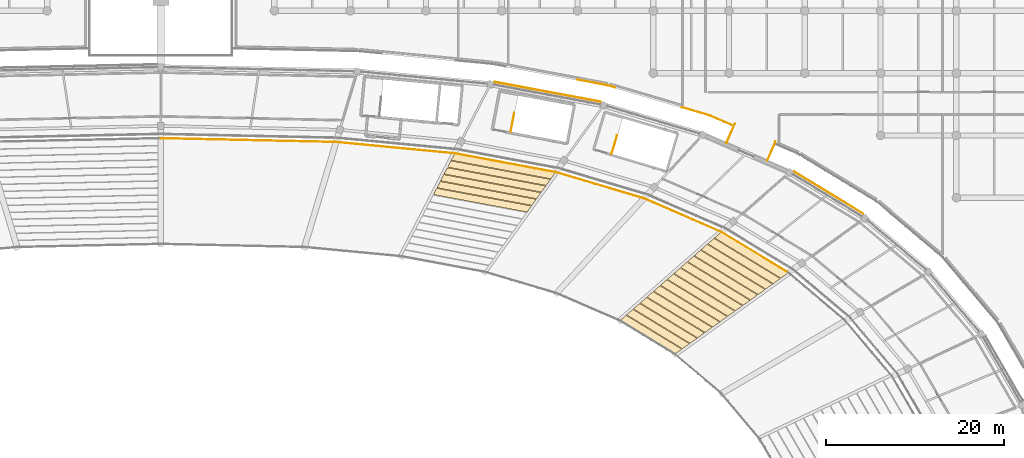
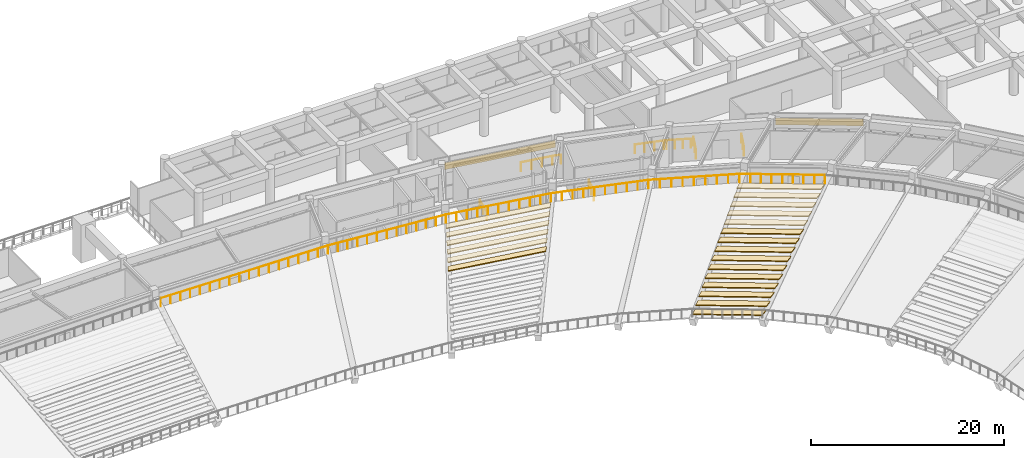
# One storey, part 136 of 137: 23 coverings, 7 railings.
"""IFC4 building model written with IfcOpenShell, lengths in metres."""

from ifc_helpers import new_model, si_unit, direction, frame, origin, origin_2d, place, context, subcontext, project, spatial, polyline, rectangle, circle, outline, extrude, material, layer, layer_set, type_object, element, save


model = new_model("IFC4")

# Units and contexts
model_context = context("Model", 3, precision=1e-05, world=origin(), true_north=direction((0.0, 1.0)))
body_context = subcontext(model_context, "Body", "Model", "MODEL_VIEW")
ifc_project = project(units=[si_unit("LENGTHUNIT", "METRE"), si_unit("AREAUNIT", "SQUARE_METRE"), si_unit("VOLUMEUNIT", "CUBIC_METRE"), si_unit("PLANEANGLEUNIT", "RADIAN"), si_unit("MASSUNIT", "GRAM", prefix="KILO")], contexts=[model_context])

# Site, building, storey
site_placement = place(None, origin())
site = spatial("IfcSite", under=ifc_project, at=site_placement, CompositionType="ELEMENT")
building_placement = place(site_placement, origin())
building = spatial("IfcBuilding", under=site, at=building_placement, Name="Mphavela Belvedere Stadium", CompositionType="ELEMENT")
storey_placement = place(building_placement, frame((0.0, 0.0, 19.199951171875)))
storey = spatial("IfcBuildingStorey", under=building, at=storey_placement, Name="L04", CompositionType="ELEMENT", Elevation=19.199951171875)

# Coverings
ifc_material_1 = material(Name="Carved classical limestone entablature frieze cladding", Category="masonry")
ifc_layer_1 = layer(ifc_material_1, 0.06005859375)
ifc_layer_set_1 = layer_set([ifc_layer_1], Name="Carved classical limestone entablature frieze cladding")
covering_type_1 = type_object("IfcCoveringType", Name="COV-FRIEZE-CLAD", PredefinedType="CLADDING", material=ifc_layer_set_1)
covering_1_placement = place(storey_placement, frame((190.09228515625, 146.56103515625, 3.594970703125), z_axis=(0.0, 0.0, 1.0), x_axis=(-0.854368143929, 0.519668235165, 0.0)))
element("IfcCovering", 1, at=covering_1_placement, inside=storey, type_object=covering_type_1, Name="Classical entablature frieze cladding L04-07", PredefinedType="CLADDING", context=body_context, shape_type="SweptSolid", body=[
    extrude(rectangle(XDim=9.105712890625, YDim=0.06005859375, at=origin_2d()), origin(), (0.0, 0.0, 1.0), 0.85009765625),
])
covering_2_placement = place(storey_placement, frame((158.49560546875, 157.896728515625, 3.594970703125), z_axis=(0.0, 0.0, 1.0), x_axis=(-0.983095502692, 0.183093507769, 0.0)))
element("IfcCovering", 2, at=covering_2_placement, inside=storey, type_object=covering_type_1, Name="Classical entablature frieze cladding L04-10", PredefinedType="CLADDING", context=body_context, shape_type="SweptSolid", body=[
    extrude(rectangle(XDim=12.1513671875, YDim=0.06005859375, at=origin_2d()), origin(), (0.0, 0.0, 1.0), 0.85009765625),
])
ifc_material_2 = material(Name="Precast seating row terrazzo finish", Category="concrete")
ifc_layer_2 = layer(ifc_material_2, 0.1201171875)
ifc_layer_set_2 = layer_set([ifc_layer_2], Name="Precast seating row terrazzo finish")
covering_type_2 = type_object("IfcCoveringType", Name="COV-SEAT-ROW-U", PredefinedType="FLOORING", material=ifc_layer_set_2)
covering_3_placement = place(storey_placement, frame((0.0, 0.0, -3.4033203125)))
element("IfcCovering", 3, at=covering_3_placement, inside=storey, type_object=covering_type_2, Name="Upper stand seating row bench B07-R01", PredefinedType="FLOORING", context=body_context, shape_type="SweptSolid", body=[
    extrude(outline(polyline([(172.798583984375, 128.412353515625), (166.62158203125, 132.170166015625), (167.321044921875, 132.7822265625), (173.581787109375, 128.973388671875), (172.798583984375, 128.412353515625)])), origin(), (0.0, 0.0, 1.0), 0.1201171875),
])
covering_4_placement = place(storey_placement, frame((0.0, 0.0, -2.936767578125)))
element("IfcCovering", 4, at=covering_4_placement, inside=storey, type_object=covering_type_2, Name="Upper stand seating row bench B07-R02", PredefinedType="FLOORING", context=body_context, shape_type="SweptSolid", body=[
    extrude(outline(polyline([(173.64990234375, 129.022216796875), (167.3818359375, 132.83544921875), (168.081298828125, 133.447509765625), (174.43310546875, 129.58349609375), (173.64990234375, 129.022216796875)])), origin(), (0.0, 0.0, 1.0), 0.1201171875),
])
covering_5_placement = place(storey_placement, frame((0.0, 0.0, -2.469970703125)))
element("IfcCovering", 5, at=covering_5_placement, inside=storey, type_object=covering_type_2, Name="Upper stand seating row bench B07-R03", PredefinedType="FLOORING", context=body_context, shape_type="SweptSolid", body=[
    extrude(outline(polyline([(174.501220703125, 129.632080078125), (168.14208984375, 133.500732421875), (168.841796875, 134.11279296875), (175.2841796875, 130.193359375), (174.501220703125, 129.632080078125)])), origin(), (0.0, 0.0, 1.0), 0.1201171875),
])
covering_6_placement = place(storey_placement, frame((0.0, 0.0, -2.003173828125)))
element("IfcCovering", 6, at=covering_6_placement, inside=storey, type_object=covering_type_2, Name="Upper stand seating row bench B07-R04", PredefinedType="FLOORING", context=body_context, shape_type="SweptSolid", body=[
    extrude(outline(polyline([(175.352294921875, 130.2421875), (168.902587890625, 134.166015625), (169.60205078125, 134.778076171875), (176.135498046875, 130.80322265625), (175.352294921875, 130.2421875)])), origin(), (0.0, 0.0, 1.0), 0.119873046875),
])
covering_7_placement = place(storey_placement, frame((0.0, 0.0, -1.53662109375)))
element("IfcCovering", 7, at=covering_7_placement, inside=storey, type_object=covering_type_2, Name="Upper stand seating row bench B07-R05", PredefinedType="FLOORING", context=body_context, shape_type="SweptSolid", body=[
    extrude(outline(polyline([(176.20361328125, 130.85205078125), (169.662841796875, 134.831298828125), (170.3623046875, 135.443359375), (176.98681640625, 131.413330078125), (176.20361328125, 130.85205078125)])), origin(), (0.0, 0.0, 1.0), 0.119873046875),
])
covering_8_placement = place(storey_placement, frame((0.0, 0.0, -1.070068359375)))
element("IfcCovering", 8, at=covering_8_placement, inside=storey, type_object=covering_type_2, Name="Upper stand seating row bench B07-R06", PredefinedType="FLOORING", context=body_context, shape_type="SweptSolid", body=[
    extrude(outline(polyline([(177.054931640625, 131.462158203125), (170.423095703125, 135.49658203125), (171.122802734375, 136.108642578125), (177.838134765625, 132.023193359375), (177.054931640625, 131.462158203125)])), origin(), (0.0, 0.0, 1.0), 0.1201171875),
])
covering_9_placement = place(storey_placement, frame((0.0, 0.0, -0.603271484375)))
element("IfcCovering", 9, at=covering_9_placement, inside=storey, type_object=covering_type_2, Name="Upper stand seating row bench B07-R07", PredefinedType="FLOORING", context=body_context, shape_type="SweptSolid", body=[
    extrude(outline(polyline([(177.90625, 132.072021484375), (171.18359375, 136.161865234375), (171.883056640625, 136.77392578125), (178.689453125, 132.63330078125), (177.90625, 132.072021484375)])), origin(), (0.0, 0.0, 1.0), 0.1201171875),
])
covering_10_placement = place(storey_placement, frame((0.0, 0.0, -0.13671875)))
element("IfcCovering", 10, at=covering_10_placement, inside=storey, type_object=covering_type_2, Name="Upper stand seating row bench B07-R08", PredefinedType="FLOORING", context=body_context, shape_type="SweptSolid", body=[
    extrude(outline(polyline([(178.757568359375, 132.681884765625), (171.94384765625, 136.8271484375), (172.643310546875, 137.439208984375), (179.540771484375, 133.2431640625), (178.757568359375, 132.681884765625)])), origin(), (0.0, 0.0, 1.0), 0.1201171875),
])
covering_11_placement = place(storey_placement, frame((0.0, 0.0, 0.330078125)))
element("IfcCovering", 11, at=covering_11_placement, inside=storey, type_object=covering_type_2, Name="Upper stand seating row bench B07-R09", PredefinedType="FLOORING", context=body_context, shape_type="SweptSolid", body=[
    extrude(outline(polyline([(179.60888671875, 133.2919921875), (172.7041015625, 137.492431640625), (173.403564453125, 138.1044921875), (180.39208984375, 133.85302734375), (179.60888671875, 133.2919921875)])), origin(), (0.0, 0.0, 1.0), 0.119873046875),
])
covering_12_placement = place(storey_placement, frame((0.0, 0.0, 0.796630859375)))
element("IfcCovering", 12, at=covering_12_placement, inside=storey, type_object=covering_type_2, Name="Upper stand seating row bench B07-R10", PredefinedType="FLOORING", context=body_context, shape_type="SweptSolid", body=[
    extrude(outline(polyline([(180.460205078125, 133.90185546875), (173.46435546875, 138.15771484375), (174.163818359375, 138.77001953125), (181.243408203125, 134.462890625), (180.460205078125, 133.90185546875)])), origin(), (0.0, 0.0, 1.0), 0.1201171875),
])
covering_13_placement = place(storey_placement, frame((0.0, 0.0, 1.263427734375)))
element("IfcCovering", 13, at=covering_13_placement, inside=storey, type_object=covering_type_2, Name="Upper stand seating row bench B07-R11", PredefinedType="FLOORING", context=body_context, shape_type="SweptSolid", body=[
    extrude(outline(polyline([(181.311279296875, 134.51171875), (174.224853515625, 138.822998046875), (174.92431640625, 139.435302734375), (182.094482421875, 135.072998046875), (181.311279296875, 134.51171875)])), origin(), (0.0, 0.0, 1.0), 0.119873046875),
])
covering_14_placement = place(storey_placement, frame((0.0, 0.0, 1.72998046875)))
element("IfcCovering", 14, at=covering_14_placement, inside=storey, type_object=covering_type_2, Name="Upper stand seating row bench B07-R12", PredefinedType="FLOORING", context=body_context, shape_type="SweptSolid", body=[
    extrude(outline(polyline([(182.16259765625, 135.121826171875), (174.985107421875, 139.48828125), (175.6845703125, 140.1005859375), (182.94580078125, 135.682861328125), (182.16259765625, 135.121826171875)])), origin(), (0.0, 0.0, 1.0), 0.1201171875),
])
covering_15_placement = place(storey_placement, frame((0.0, 0.0, 2.19677734375)))
element("IfcCovering", 15, at=covering_15_placement, inside=storey, type_object=covering_type_2, Name="Upper stand seating row bench B07-R13", PredefinedType="FLOORING", context=body_context, shape_type="SweptSolid", body=[
    extrude(outline(polyline([(183.013916015625, 135.731689453125), (175.745361328125, 140.15380859375), (176.44482421875, 140.765869140625), (183.797119140625, 136.29296875), (183.013916015625, 135.731689453125)])), origin(), (0.0, 0.0, 1.0), 0.119873046875),
])
covering_16_placement = place(storey_placement, frame((0.0, 0.0, 2.663330078125)))
element("IfcCovering", 16, at=covering_16_placement, inside=storey, type_object=covering_type_2, Name="Upper stand seating row bench B07-R14", PredefinedType="FLOORING", context=body_context, shape_type="SweptSolid", body=[
    extrude(outline(polyline([(183.865234375, 136.341796875), (176.505615234375, 140.819091796875), (177.205078125, 141.43115234375), (184.6484375, 136.90283203125), (183.865234375, 136.341796875)])), origin(), (0.0, 0.0, 1.0), 0.1201171875),
])
covering_17_placement = place(storey_placement, frame((0.0, 0.0, 3.130126953125)))
element("IfcCovering", 17, at=covering_17_placement, inside=storey, type_object=covering_type_2, Name="Upper stand seating row bench B07-R15", PredefinedType="FLOORING", context=body_context, shape_type="SweptSolid", body=[
    extrude(outline(polyline([(184.716552734375, 136.95166015625), (177.26611328125, 141.484375), (177.965576171875, 142.096435546875), (185.499755859375, 137.5126953125), (184.716552734375, 136.95166015625)])), origin(), (0.0, 0.0, 1.0), 0.119873046875),
])
covering_18_placement = place(storey_placement, frame((0.0, 0.0, 0.796630859375)))
element("IfcCovering", 18, at=covering_18_placement, inside=storey, type_object=covering_type_2, Name="Upper stand seating row bench B10-R10", PredefinedType="FLOORING", context=body_context, shape_type="SweptSolid", body=[
    extrude(outline(polyline([(156.1845703125, 144.389892578125), (145.658447265625, 146.350341796875), (146.025390625, 147.060302734375), (156.677490234375, 145.07666015625), (156.1845703125, 144.389892578125)])), origin(), (0.0, 0.0, 1.0), 0.1201171875),
])
covering_19_placement = place(storey_placement, frame((0.0, 0.0, 1.263427734375)))
element("IfcCovering", 19, at=covering_19_placement, inside=storey, type_object=covering_type_2, Name="Upper stand seating row bench B10-R11", PredefinedType="FLOORING", context=body_context, shape_type="SweptSolid", body=[
    extrude(outline(polyline([(156.72021484375, 145.13623046875), (146.05712890625, 147.122314453125), (146.424072265625, 147.832275390625), (157.212890625, 145.822998046875), (156.72021484375, 145.13623046875)])), origin(), (0.0, 0.0, 1.0), 0.119873046875),
])
covering_20_placement = place(storey_placement, frame((0.0, 0.0, 1.72998046875)))
element("IfcCovering", 20, at=covering_20_placement, inside=storey, type_object=covering_type_2, Name="Upper stand seating row bench B10-R12", PredefinedType="FLOORING", context=body_context, shape_type="SweptSolid", body=[
    extrude(outline(polyline([(157.255859375, 145.882568359375), (146.4560546875, 147.89404296875), (146.82275390625, 148.60400390625), (157.74853515625, 146.569091796875), (157.255859375, 145.882568359375)])), origin(), (0.0, 0.0, 1.0), 0.1201171875),
])
covering_21_placement = place(storey_placement, frame((0.0, 0.0, 2.19677734375)))
element("IfcCovering", 21, at=covering_21_placement, inside=storey, type_object=covering_type_2, Name="Upper stand seating row bench B10-R13", PredefinedType="FLOORING", context=body_context, shape_type="SweptSolid", body=[
    extrude(outline(polyline([(157.79150390625, 146.62890625), (146.854736328125, 148.665771484375), (147.221435546875, 149.3759765625), (158.2841796875, 147.315673828125), (157.79150390625, 146.62890625)])), origin(), (0.0, 0.0, 1.0), 0.119873046875),
])
covering_22_placement = place(storey_placement, frame((0.0, 0.0, 2.663330078125)))
element("IfcCovering", 22, at=covering_22_placement, inside=storey, type_object=covering_type_2, Name="Upper stand seating row bench B10-R14", PredefinedType="FLOORING", context=body_context, shape_type="SweptSolid", body=[
    extrude(outline(polyline([(158.326904296875, 147.375244140625), (147.25341796875, 149.437744140625), (147.6201171875, 150.147705078125), (158.81982421875, 148.06201171875), (158.326904296875, 147.375244140625)])), origin(), (0.0, 0.0, 1.0), 0.1201171875),
])
covering_23_placement = place(storey_placement, frame((0.0, 0.0, 3.130126953125)))
element("IfcCovering", 23, at=covering_23_placement, inside=storey, type_object=covering_type_2, Name="Upper stand seating row bench B10-R15", PredefinedType="FLOORING", context=body_context, shape_type="SweptSolid", body=[
    extrude(outline(polyline([(158.862548828125, 148.12158203125), (147.652099609375, 150.20947265625), (148.018798828125, 150.919677734375), (159.35546875, 148.808349609375), (158.862548828125, 148.12158203125)])), origin(), (0.0, 0.0, 1.0), 0.119873046875),
])

# Railings
ifc_material_3 = material(Name="Bronze and laminated glass stadium balustrade", Category="glass")
railing_type_1 = type_object("IfcRailingType", Name="RAL-BALUSTRADE-1120", PredefinedType="BALUSTRADE", material=ifc_material_3)
railing_1_placement = place(storey_placement, frame((183.190185546875, 150.165283203125, 0.0)))
element("IfcRailing", 24, at=railing_1_placement, inside=storey, type_object=railing_type_1, Name="Colonnade link bridge balustrade L04-08A", PredefinedType="BALUSTRADE", context=body_context, shape_type="SweptSolid", body=[
    extrude(circle(Radius=0.02392578125, at=origin_2d()), frame((0.0, 0.0, 1.09619140625), z_axis=(0.397802772945, 0.91747095531, 0.0), x_axis=(-0.91747095531, 0.397802772945, 0.0)), (0.0, 0.0, 1.0), 2.349853515625),
    extrude(circle(Radius=0.02099609375, at=origin_2d()), origin(), (0.0, 0.0, 1.0), 1.072021484375),
    extrude(circle(Radius=0.02099609375, at=origin_2d()), frame((0.46728515625, 1.078125, 0.0)), (0.0, 0.0, 1.0), 1.072021484375),
    extrude(circle(Radius=0.02099609375, at=origin_2d()), frame((0.934814453125, 2.156005859375, 0.0)), (0.0, 0.0, 1.0), 1.072021484375),
])
railing_2_placement = place(storey_placement, frame((178.602783203125, 152.15380859375, 0.0)))
element("IfcRailing", 25, at=railing_2_placement, inside=storey, type_object=railing_type_1, Name="Colonnade link bridge balustrade L04-08B", PredefinedType="BALUSTRADE", context=body_context, shape_type="SweptSolid", body=[
    extrude(circle(Radius=0.02392578125, at=origin_2d()), frame((0.0, 0.0, 1.09619140625), z_axis=(0.397677406785, 0.917525302176, 0.0), x_axis=(-0.917525302176, 0.397677406785, 0.0)), (0.0, 0.0, 1.0), 2.35009765625),
    extrude(circle(Radius=0.02099609375, at=origin_2d()), origin(), (0.0, 0.0, 1.0), 1.072021484375),
    extrude(circle(Radius=0.02099609375, at=origin_2d()), frame((0.46728515625, 1.078125, 0.0)), (0.0, 0.0, 1.0), 1.072021484375),
    extrude(circle(Radius=0.02099609375, at=origin_2d()), frame((0.9345703125, 2.15625, 0.0)), (0.0, 0.0, 1.0), 1.072021484375),
])
railing_3_placement = place(storey_placement, frame((185.56787109375, 137.5615234375, 3.25)))
element("IfcRailing", 26, at=railing_3_placement, inside=storey, type_object=railing_type_1, Name="Bowl safety balustrade t2_rear S2", PredefinedType="BALUSTRADE", context=body_context, shape_type="SweptSolid", body=[
    extrude(circle(Radius=0.02392578125, at=origin_2d()), frame((0.0, 0.0, 1.09619140625), z_axis=(-0.85431656111, 0.519753031173, 0.0), x_axis=(-0.519753031173, -0.85431656111, 0.0)), (0.0, 0.0, 1.0), 8.82763671875),
    extrude(circle(Radius=0.02392578125, at=origin_2d()), frame((-7.54150390625, 4.588134765625, 1.09619140625), z_axis=(-0.917507086271, 0.397719432065, 0.0), x_axis=(-0.397719432065, -0.917507086271, 0.0)), (0.0, 0.0, 1.0), 9.482177734375),
    extrude(circle(Radius=0.02392578125, at=origin_2d()), frame((-16.241455078125, 8.359375, 1.09619140625), z_axis=(-0.958657919972, 0.284561052279, 0.0), x_axis=(-0.284561052279, -0.958657919972, 0.0)), (0.0, 0.0, 1.0), 10.3564453125),
    extrude(circle(Radius=0.02392578125, at=origin_2d()), frame((-26.169677734375, 11.306396484375, 1.09619140625), z_axis=(-0.983092967472, 0.183107119762, 0.0), x_axis=(-0.183107119762, -0.983092967472, 0.0)), (0.0, 0.0, 1.0), 11.54248046875),
    extrude(circle(Radius=0.02392578125, at=origin_2d()), frame((-37.51708984375, 13.419921875, 1.09619140625), z_axis=(-0.995485310034, 0.094915738982, 0.0), x_axis=(-0.094915738982, -0.995485310034, 0.0)), (0.0, 0.0, 1.0), 13.39599609375),
    extrude(circle(Radius=0.02392578125, at=origin_2d()), frame((-50.8525390625, 14.69140625, 1.09619140625), z_axis=(-0.999768212471, 0.021529545552, 0.0), x_axis=(-0.021529545552, -0.999768212471, 0.0)), (0.0, 0.0, 1.0), 19.719970703125),
    extrude(circle(Radius=0.02099609375, at=origin_2d()), origin(), (0.0, 0.0, 1.0), 1.072021484375),
    extrude(circle(Radius=0.02099609375, at=origin_2d()), frame((-0.942626953125, 0.573486328125, 0.0)), (0.0, 0.0, 1.0), 1.072021484375),
    extrude(circle(Radius=0.02099609375, at=origin_2d()), frame((-1.88525390625, 1.14697265625, 0.0)), (0.0, 0.0, 1.0), 1.072021484375),
    extrude(circle(Radius=0.02099609375, at=origin_2d()), frame((-2.828125, 1.720458984375, 0.0)), (0.0, 0.0, 1.0), 1.072021484375),
    extrude(circle(Radius=0.02099609375, at=origin_2d()), frame((-3.770751953125, 2.2939453125, 0.0)), (0.0, 0.0, 1.0), 1.072021484375),
    extrude(circle(Radius=0.02099609375, at=origin_2d()), frame((-4.71337890625, 2.86767578125, 0.0)), (0.0, 0.0, 1.0), 1.072021484375),
    extrude(circle(Radius=0.02099609375, at=origin_2d()), frame((-5.65625, 3.441162109375, 0.0)), (0.0, 0.0, 1.0), 1.072021484375),
    extrude(circle(Radius=0.02099609375, at=origin_2d()), frame((-6.598876953125, 4.0146484375, 0.0)), (0.0, 0.0, 1.0), 1.072021484375),
    extrude(circle(Radius=0.02099609375, at=origin_2d()), frame((-7.54150390625, 4.588134765625, 0.0)), (0.0, 0.0, 1.0), 1.072021484375),
    extrude(circle(Radius=0.02099609375, at=origin_2d()), frame((-8.62890625, 5.0595703125, 0.0)), (0.0, 0.0, 1.0), 1.072021484375),
    extrude(circle(Radius=0.02099609375, at=origin_2d()), frame((-9.716552734375, 5.531005859375, 0.0)), (0.0, 0.0, 1.0), 1.072021484375),
    extrude(circle(Radius=0.02099609375, at=origin_2d()), frame((-10.803955078125, 6.00244140625, 0.0)), (0.0, 0.0, 1.0), 1.072021484375),
    extrude(circle(Radius=0.02099609375, at=origin_2d()), frame((-11.8916015625, 6.4736328125, 0.0)), (0.0, 0.0, 1.0), 1.072021484375),
    extrude(circle(Radius=0.02099609375, at=origin_2d()), frame((-12.97900390625, 6.945068359375, 0.0)), (0.0, 0.0, 1.0), 1.072021484375),
    extrude(circle(Radius=0.02099609375, at=origin_2d()), frame((-14.06640625, 7.41650390625, 0.0)), (0.0, 0.0, 1.0), 1.072021484375),
    extrude(circle(Radius=0.02099609375, at=origin_2d()), frame((-15.154052734375, 7.887939453125, 0.0)), (0.0, 0.0, 1.0), 1.072021484375),
    extrude(circle(Radius=0.02099609375, at=origin_2d()), frame((-16.241455078125, 8.359375, 0.0)), (0.0, 0.0, 1.0), 1.072021484375),
    extrude(circle(Radius=0.02099609375, at=origin_2d()), frame((-17.344482421875, 8.686767578125, 0.0)), (0.0, 0.0, 1.0), 1.072021484375),
    extrude(circle(Radius=0.02099609375, at=origin_2d()), frame((-18.44775390625, 9.01416015625, 0.0)), (0.0, 0.0, 1.0), 1.072021484375),
    extrude(circle(Radius=0.02099609375, at=origin_2d()), frame((-19.55078125, 9.341796875, 0.0)), (0.0, 0.0, 1.0), 1.072021484375),
    extrude(circle(Radius=0.02099609375, at=origin_2d()), frame((-20.654052734375, 9.669189453125, 0.0)), (0.0, 0.0, 1.0), 1.072021484375),
    extrude(circle(Radius=0.02099609375, at=origin_2d()), frame((-21.757080078125, 9.99658203125, 0.0)), (0.0, 0.0, 1.0), 1.072021484375),
    extrude(circle(Radius=0.02099609375, at=origin_2d()), frame((-22.8603515625, 10.323974609375, 0.0)), (0.0, 0.0, 1.0), 1.072021484375),
    extrude(circle(Radius=0.02099609375, at=origin_2d()), frame((-23.96337890625, 10.651611328125, 0.0)), (0.0, 0.0, 1.0), 1.072021484375),
    extrude(circle(Radius=0.02099609375, at=origin_2d()), frame((-25.066650390625, 10.97900390625, 0.0)), (0.0, 0.0, 1.0), 1.072021484375),
    extrude(circle(Radius=0.02099609375, at=origin_2d()), frame((-26.169677734375, 11.306396484375, 0.0)), (0.0, 0.0, 1.0), 1.072021484375),
    extrude(circle(Radius=0.02099609375, at=origin_2d()), frame((-27.304443359375, 11.517822265625, 0.0)), (0.0, 0.0, 1.0), 1.072021484375),
    extrude(circle(Radius=0.02099609375, at=origin_2d()), frame((-28.439208984375, 11.72900390625, 0.0)), (0.0, 0.0, 1.0), 1.072021484375),
    extrude(circle(Radius=0.02099609375, at=origin_2d()), frame((-29.573974609375, 11.9404296875, 0.0)), (0.0, 0.0, 1.0), 1.072021484375),
    extrude(circle(Radius=0.02099609375, at=origin_2d()), frame((-30.708740234375, 12.15185546875, 0.0)), (0.0, 0.0, 1.0), 1.072021484375),
    extrude(circle(Radius=0.02099609375, at=origin_2d()), frame((-31.84326171875, 12.36328125, 0.0)), (0.0, 0.0, 1.0), 1.072021484375),
    extrude(circle(Radius=0.02099609375, at=origin_2d()), frame((-32.97802734375, 12.574462890625, 0.0)), (0.0, 0.0, 1.0), 1.072021484375),
    extrude(circle(Radius=0.02099609375, at=origin_2d()), frame((-34.11279296875, 12.785888671875, 0.0)), (0.0, 0.0, 1.0), 1.072021484375),
    extrude(circle(Radius=0.02099609375, at=origin_2d()), frame((-35.24755859375, 12.997314453125, 0.0)), (0.0, 0.0, 1.0), 1.072021484375),
    extrude(circle(Radius=0.02099609375, at=origin_2d()), frame((-36.38232421875, 13.20849609375, 0.0)), (0.0, 0.0, 1.0), 1.072021484375),
    extrude(circle(Radius=0.02099609375, at=origin_2d()), frame((-37.51708984375, 13.419921875, 0.0)), (0.0, 0.0, 1.0), 1.072021484375),
    extrude(circle(Radius=0.02099609375, at=origin_2d()), frame((-38.62841796875, 13.52587890625, 0.0)), (0.0, 0.0, 1.0), 1.072021484375),
    extrude(circle(Radius=0.02099609375, at=origin_2d()), frame((-39.73974609375, 13.6318359375, 0.0)), (0.0, 0.0, 1.0), 1.072021484375),
    extrude(circle(Radius=0.02099609375, at=origin_2d()), frame((-40.85107421875, 13.73779296875, 0.0)), (0.0, 0.0, 1.0), 1.072021484375),
    extrude(circle(Radius=0.02099609375, at=origin_2d()), frame((-41.962158203125, 13.84375, 0.0)), (0.0, 0.0, 1.0), 1.072021484375),
    extrude(circle(Radius=0.02099609375, at=origin_2d()), frame((-43.073486328125, 13.94970703125, 0.0)), (0.0, 0.0, 1.0), 1.072021484375),
    extrude(circle(Radius=0.02099609375, at=origin_2d()), frame((-44.184814453125, 14.0556640625, 0.0)), (0.0, 0.0, 1.0), 1.072021484375),
    extrude(circle(Radius=0.02099609375, at=origin_2d()), frame((-45.296142578125, 14.16162109375, 0.0)), (0.0, 0.0, 1.0), 1.072021484375),
    extrude(circle(Radius=0.02099609375, at=origin_2d()), frame((-46.407470703125, 14.267578125, 0.0)), (0.0, 0.0, 1.0), 1.072021484375),
    extrude(circle(Radius=0.02099609375, at=origin_2d()), frame((-47.5185546875, 14.37353515625, 0.0)), (0.0, 0.0, 1.0), 1.072021484375),
    extrude(circle(Radius=0.02099609375, at=origin_2d()), frame((-48.6298828125, 14.4794921875, 0.0)), (0.0, 0.0, 1.0), 1.072021484375),
    extrude(circle(Radius=0.02099609375, at=origin_2d()), frame((-49.7412109375, 14.58544921875, 0.0)), (0.0, 0.0, 1.0), 1.072021484375),
    extrude(circle(Radius=0.02099609375, at=origin_2d()), frame((-50.8525390625, 14.69140625, 0.0)), (0.0, 0.0, 1.0), 1.072021484375),
    extrude(circle(Radius=0.02099609375, at=origin_2d()), frame((-52.01220703125, 14.71630859375, 0.0)), (0.0, 0.0, 1.0), 1.072021484375),
    extrude(circle(Radius=0.02099609375, at=origin_2d()), frame((-53.171875, 14.741455078125, 0.0)), (0.0, 0.0, 1.0), 1.072021484375),
    extrude(circle(Radius=0.02099609375, at=origin_2d()), frame((-54.331787109375, 14.766357421875, 0.0)), (0.0, 0.0, 1.0), 1.072021484375),
    extrude(circle(Radius=0.02099609375, at=origin_2d()), frame((-55.491455078125, 14.791259765625, 0.0)), (0.0, 0.0, 1.0), 1.072021484375),
    extrude(circle(Radius=0.02099609375, at=origin_2d()), frame((-56.651123046875, 14.816162109375, 0.0)), (0.0, 0.0, 1.0), 1.072021484375),
    extrude(circle(Radius=0.02099609375, at=origin_2d()), frame((-57.810791015625, 14.84130859375, 0.0)), (0.0, 0.0, 1.0), 1.072021484375),
    extrude(circle(Radius=0.02099609375, at=origin_2d()), frame((-58.970703125, 14.8662109375, 0.0)), (0.0, 0.0, 1.0), 1.072021484375),
    extrude(circle(Radius=0.02099609375, at=origin_2d()), frame((-60.13037109375, 14.89111328125, 0.0)), (0.0, 0.0, 1.0), 1.072021484375),
    extrude(circle(Radius=0.02099609375, at=origin_2d()), frame((-61.2900390625, 14.916259765625, 0.0)), (0.0, 0.0, 1.0), 1.072021484375),
    extrude(circle(Radius=0.02099609375, at=origin_2d()), frame((-62.44970703125, 14.941162109375, 0.0)), (0.0, 0.0, 1.0), 1.072021484375),
    extrude(circle(Radius=0.02099609375, at=origin_2d()), frame((-63.609619140625, 14.966064453125, 0.0)), (0.0, 0.0, 1.0), 1.072021484375),
    extrude(circle(Radius=0.02099609375, at=origin_2d()), frame((-64.769287109375, 14.9912109375, 0.0)), (0.0, 0.0, 1.0), 1.072021484375),
    extrude(circle(Radius=0.02099609375, at=origin_2d()), frame((-65.928955078125, 15.01611328125, 0.0)), (0.0, 0.0, 1.0), 1.072021484375),
    extrude(circle(Radius=0.02099609375, at=origin_2d()), frame((-67.088623046875, 15.041015625, 0.0)), (0.0, 0.0, 1.0), 1.072021484375),
    extrude(circle(Radius=0.02099609375, at=origin_2d()), frame((-68.24853515625, 15.06591796875, 0.0)), (0.0, 0.0, 1.0), 1.072021484375),
    extrude(circle(Radius=0.02099609375, at=origin_2d()), frame((-69.408203125, 15.091064453125, 0.0)), (0.0, 0.0, 1.0), 1.072021484375),
    extrude(circle(Radius=0.02099609375, at=origin_2d()), frame((-70.56787109375, 15.115966796875, 0.0)), (0.0, 0.0, 1.0), 1.072021484375),
])
railing_4_placement = place(storey_placement, frame((179.173095703125, 154.173583984375, 0.0)))
element("IfcRailing", 27, at=railing_4_placement, inside=storey, type_object=railing_type_1, Name="Peristyle wing gallery edge balustrade L04-26", PredefinedType="BALUSTRADE", context=body_context, shape_type="SweptSolid", body=[
    extrude(circle(Radius=0.02392578125, at=origin_2d()), frame((0.0, 0.0, 1.09619140625), z_axis=(-0.917490104343, 0.397758605731, 0.0), x_axis=(-0.397758605731, -0.917490104343, 0.0)), (0.0, 0.0, 1.0), 2.5380859375),
    extrude(circle(Radius=0.02392578125, at=origin_2d()), frame((-2.32861328125, 1.009521484375, 1.09619140625), z_axis=(-0.939740596708, 0.341888301786, 0.0), x_axis=(-0.341888301786, -0.939740596708, 0.0)), (0.0, 0.0, 1.0), 0.27001953125),
    extrude(circle(Radius=0.02392578125, at=origin_2d()), frame((-2.582275390625, 1.101806640625, 1.09619140625), z_axis=(-0.958628081437, 0.284661556028, 0.0), x_axis=(-0.284661556028, -0.958628081437, 0.0)), (0.0, 0.0, 1.0), 3.10302734375),
    extrude(circle(Radius=0.02099609375, at=origin_2d()), origin(), (0.0, 0.0, 1.0), 1.072021484375),
    extrude(circle(Radius=0.02099609375, at=origin_2d()), frame((-0.776123046875, 0.33642578125, 0.0)), (0.0, 0.0, 1.0), 1.072021484375),
    extrude(circle(Radius=0.02099609375, at=origin_2d()), frame((-1.552490234375, 0.673095703125, 0.0)), (0.0, 0.0, 1.0), 1.072021484375),
    extrude(circle(Radius=0.02099609375, at=origin_2d()), frame((-2.32861328125, 1.009521484375, 0.0)), (0.0, 0.0, 1.0), 1.072021484375),
    extrude(circle(Radius=0.02099609375, at=origin_2d()), frame((-2.582275390625, 1.101806640625, 0.0)), (0.0, 0.0, 1.0), 1.072021484375),
    extrude(circle(Radius=0.02099609375, at=origin_2d()), frame((-3.57373046875, 1.396240234375, 0.0)), (0.0, 0.0, 1.0), 1.072021484375),
    extrude(circle(Radius=0.02099609375, at=origin_2d()), frame((-4.5654296875, 1.690673828125, 0.0)), (0.0, 0.0, 1.0), 1.072021484375),
    extrude(circle(Radius=0.02099609375, at=origin_2d()), frame((-5.556884765625, 1.985107421875, 0.0)), (0.0, 0.0, 1.0), 1.072021484375),
])
railing_5_placement = place(storey_placement, frame((166.094970703125, 158.39111328125, 0.0)))
element("IfcRailing", 28, at=railing_5_placement, inside=storey, type_object=railing_type_1, Name="Peristyle wing gallery edge balustrade L04-27", PredefinedType="BALUSTRADE", context=body_context, shape_type="SweptSolid", body=[
    extrude(circle(Radius=0.02392578125, at=origin_2d()), frame((0.0, 0.0, 1.09619140625), z_axis=(-0.96248917912, 0.271320069434, 0.0), x_axis=(-0.271320069434, -0.96248917912, 0.0)), (0.0, 0.0, 1.0), 0.91064453125),
    extrude(circle(Radius=0.02392578125, at=origin_2d()), frame((-0.87646484375, 0.2470703125, 1.09619140625), z_axis=(-0.983089595219, 0.183125224291, 0.0), x_axis=(-0.183125224291, -0.983089595219, 0.0)), (0.0, 0.0, 1.0), 3.459716796875),
    extrude(circle(Radius=0.02099609375, at=origin_2d()), origin(), (0.0, 0.0, 1.0), 1.072021484375),
    extrude(circle(Radius=0.02099609375, at=origin_2d()), frame((-0.87646484375, 0.2470703125, 0.0)), (0.0, 0.0, 1.0), 1.072021484375),
    extrude(circle(Radius=0.02099609375, at=origin_2d()), frame((-2.01025390625, 0.458251953125, 0.0)), (0.0, 0.0, 1.0), 1.072021484375),
    extrude(circle(Radius=0.02099609375, at=origin_2d()), frame((-3.143798828125, 0.66943359375, 0.0)), (0.0, 0.0, 1.0), 1.072021484375),
    extrude(circle(Radius=0.02099609375, at=origin_2d()), frame((-4.277587890625, 0.880615234375, 0.0)), (0.0, 0.0, 1.0), 1.072021484375),
])
ifc_material_4 = material(Name="Painted galvanised steel stair guardrail", Category="steel")
railing_type_2 = type_object("IfcRailingType", Name="RAL-GUARD-1120", PredefinedType="GUARDRAIL", material=ifc_material_4)
railing_6_placement = place(storey_placement, frame((165.6884765625, 150.9296875, 0.0)))
element("IfcRailing", 29, at=railing_6_placement, inside=storey, type_object=railing_type_2, Name="L04 ST-P01 top well guard 1", PredefinedType="GUARDRAIL", context=body_context, shape_type="SweptSolid", body=[
    extrude(circle(Radius=0.02392578125, at=origin_2d()), frame((0.0, 0.0, 1.09619140625), z_axis=(0.28452881993, 0.958667486999, 0.0), x_axis=(-0.958667486999, 0.28452881993, 0.0)), (0.0, 0.0, 1.0), 2.169921875),
    extrude(circle(Radius=0.02099609375, at=origin_2d()), origin(), (0.0, 0.0, 1.0), 1.072021484375),
    extrude(circle(Radius=0.02099609375, at=origin_2d()), frame((0.30859375, 1.0400390625, 0.0)), (0.0, 0.0, 1.0), 1.072021484375),
    extrude(circle(Radius=0.02099609375, at=origin_2d()), frame((0.617431640625, 2.080322265625, 0.0)), (0.0, 0.0, 1.0), 1.072021484375),
])
railing_7_placement = place(storey_placement, frame((154.343505859375, 153.393310546875, 0.0)))
element("IfcRailing", 30, at=railing_7_placement, inside=storey, type_object=railing_type_2, Name="L04 ST-P02 top well guard 1", PredefinedType="GUARDRAIL", context=body_context, shape_type="SweptSolid", body=[
    extrude(circle(Radius=0.02392578125, at=origin_2d()), frame((0.0, 0.0, 1.09619140625), z_axis=(0.183052064473, 0.983103220263, 0.0), x_axis=(-0.983103220263, 0.183052064473, 0.0)), (0.0, 0.0, 1.0), 2.169921875),
    extrude(circle(Radius=0.02099609375, at=origin_2d()), origin(), (0.0, 0.0, 1.0), 1.072021484375),
    extrude(circle(Radius=0.02099609375, at=origin_2d()), frame((0.19873046875, 1.066650390625, 0.0)), (0.0, 0.0, 1.0), 1.072021484375),
    extrude(circle(Radius=0.02099609375, at=origin_2d()), frame((0.397216796875, 2.13330078125, 0.0)), (0.0, 0.0, 1.0), 1.072021484375),
])

save(model, "model.ifc")
